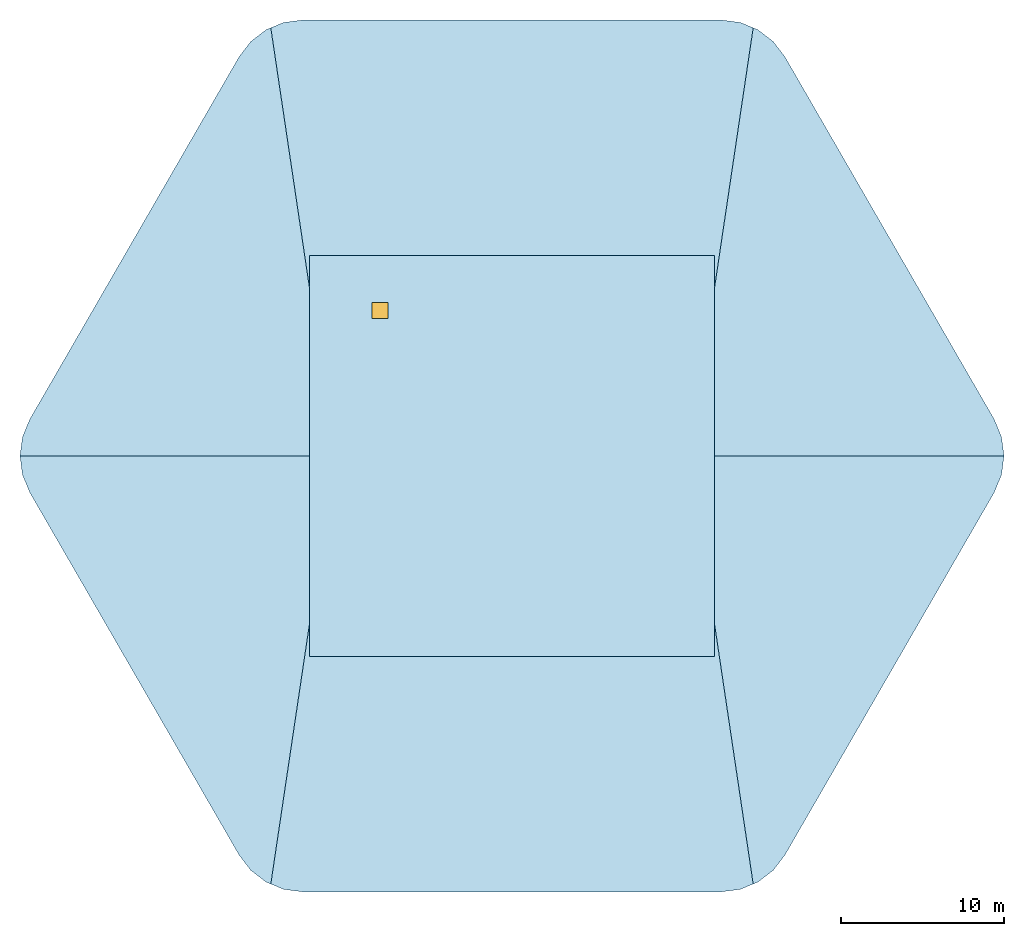
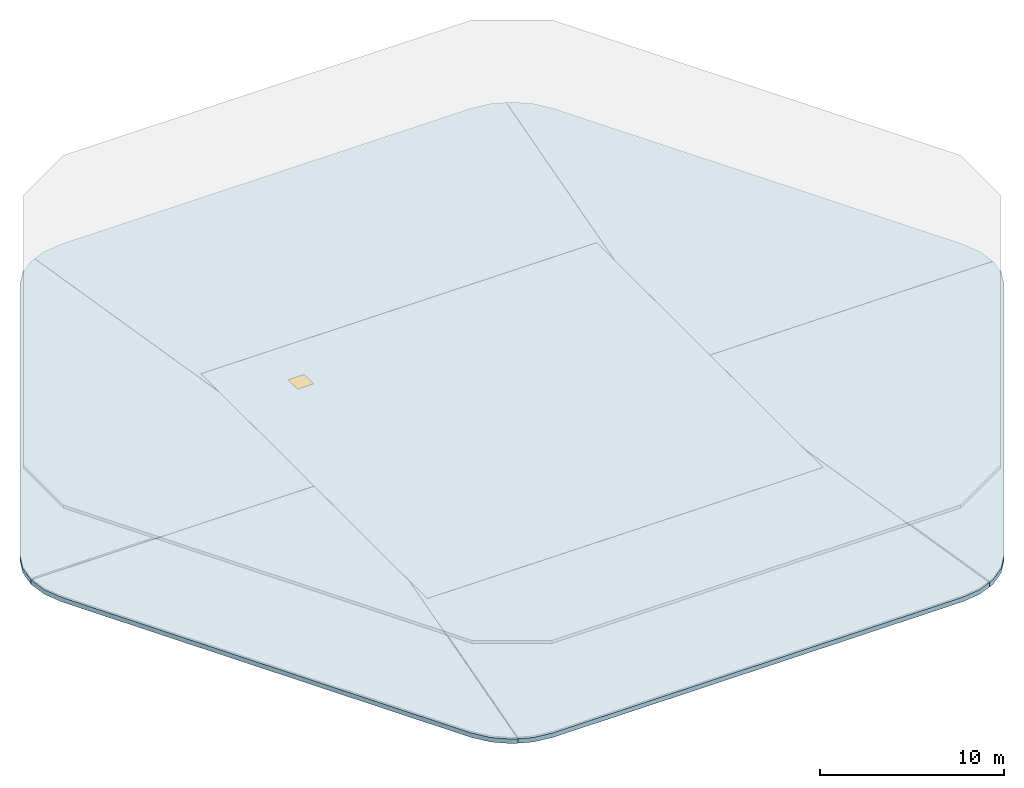
# One storey, part 1 of 2: 7 slabs, 1 window, 1 opening.
"""IFC4 building model written with IfcOpenShell, lengths in metres."""

from ifc_helpers import new_model, si_unit, direction, frame, origin, origin_2d, place, context, subcontext, project, spatial, polyline, rectangle, outline, extrude, material, layer, layer_set, type_object, element, fill, save


model = new_model("IFC4")

# Units and contexts
model_context = context("Model", 3, precision=1e-05, world=origin(), true_north=direction((0.0, 1.0)))
body_context = subcontext(model_context, "Body", "Model", "MODEL_VIEW")
ifc_project = project(units=[si_unit("LENGTHUNIT", "METRE"), si_unit("AREAUNIT", "SQUARE_METRE"), si_unit("VOLUMEUNIT", "CUBIC_METRE"), si_unit("PLANEANGLEUNIT", "RADIAN"), si_unit("MASSUNIT", "GRAM", prefix="KILO")], contexts=[model_context])

# Site, building, storey
site_placement = place(None, origin())
site = spatial("IfcSite", under=ifc_project, at=site_placement, CompositionType="ELEMENT")
building_placement = place(site_placement, origin())
building = spatial("IfcBuilding", under=site, at=building_placement, Name="Tarfa Lantern Tower", CompositionType="ELEMENT")
storey_placement = place(building_placement, frame((0.0, 0.0, 408.300048828125)))
storey = spatial("IfcBuildingStorey", under=building, at=storey_placement, Name="ROOF", CompositionType="ELEMENT", Elevation=408.300048828125)

# Slab, opening, window
ifc_material_1 = material(Name="Concrete C40/50", Category="concrete")
ifc_layer = layer(ifc_material_1, 0.300048828125)
ifc_layer_set = layer_set([ifc_layer], Name="RS1 ROOF SLAB 300")
slab_type = type_object("IfcSlabType", Name="RS1 ROOF SLAB 300", PredefinedType="ROOF", material=ifc_layer_set)
slab_1_placement = place(storey_placement, frame((0.0, 0.0, -0.300048828125)))
slab_1 = element("IfcSlab", 1, at=slab_1_placement, inside=storey, type_object=slab_type, Name="Roof slab", PredefinedType="ROOF", context=body_context, shape_type="SweptSolid", body=[
    extrude(outline(polyline([(-12.425048828125, -12.300048828125), (12.425048828125, -12.300048828125), (12.425048828125, 12.300048828125), (-12.425048828125, 12.300048828125), (-12.425048828125, -12.300048828125)])), origin(), (0.0, 0.0, 1.0), 0.300048828125),
])
opening_placement = place(slab_1_placement, frame((-8.10009765625, 8.925048828125, 0.0)))
opening = element("IfcOpeningElement", 2, at=opening_placement, cuts=slab_1, Name="Opening RH1", PredefinedType="OPENING", context=body_context, shape_type="SweptSolid", body=[
    extrude(rectangle(XDim=1.0, YDim=1.0, at=origin_2d()), origin(), (0.0, 0.0, 1.0), 0.300048828125),
])
ifc_material_2 = material(Name="Aluminium roof hatch", Category="aluminium")
window_type = type_object("IfcWindowType", Name="RH1 ROOF ACCESS HATCH 1000x1000", PartitioningType="SINGLE_PANEL", PredefinedType="SKYLIGHT", material=ifc_material_2)
window_placement = place(opening_placement, frame((0.0, 0.0, 0.25)))
window = element("IfcWindow", 3, at=window_placement, inside=storey, type_object=window_type, Name="Roof access hatch", OverallHeight=1.0, OverallWidth=1.0, PartitioningType="SINGLE_PANEL", PredefinedType="SKYLIGHT", context=body_context, shape_type="SweptSolid", body=[
    extrude(rectangle(XDim=1.0, YDim=1.0, at=origin_2d()), origin(), (0.0, 0.0, 1.0), 0.050048828125),
])
fill(opening, window)

# Slabs
slab_2_placement = place(storey_placement, frame((0.0, 0.0, -0.300048828125)))
element("IfcSlab", 4, at=slab_2_placement, inside=storey, type_object=slab_type, Name="Roof slab NE bay", PredefinedType="ROOF", context=body_context, shape_type="SweptSolid", body=[
    extrude(outline(polyline([(29.58740234375, 2.2490234375), (16.741455078125, 24.498779296875), (16.026611328125, 25.4306640625), (15.094970703125, 26.145263671875), (14.802001953125, 26.2666015625), (12.427001953125, 10.2998046875), (12.427001953125, 0.001953125), (30.189697265625, 0.001953125), (30.036865234375, 1.1640625), (29.58740234375, 2.2490234375)])), origin(), (0.0, 0.0, 1.0), 0.300048828125),
])
slab_3_placement = place(storey_placement, frame((0.0, 0.0, -0.300048828125)))
element("IfcSlab", 5, at=slab_3_placement, inside=storey, type_object=slab_type, Name="Roof slab N bay", PredefinedType="ROOF", context=body_context, shape_type="SweptSolid", body=[
    extrude(outline(polyline([(-12.427001953125, 10.3271484375), (-12.427001953125, 12.302001953125), (12.427001953125, 12.302001953125), (12.427001953125, 10.3271484375), (14.79833984375, 26.268310546875), (14.01025390625, 26.5947265625), (12.845947265625, 26.748046875), (-12.845947265625, 26.748046875), (-14.01025390625, 26.5947265625), (-14.79833984375, 26.268310546875), (-12.427001953125, 10.3271484375)])), origin(), (0.0, 0.0, 1.0), 0.300048828125),
])
slab_4_placement = place(storey_placement, frame((0.0, 0.0, -0.300048828125)))
element("IfcSlab", 6, at=slab_4_placement, inside=storey, type_object=slab_type, Name="Roof slab NW bay", PredefinedType="ROOF", context=body_context, shape_type="SweptSolid", body=[
    extrude(outline(polyline([(-12.427001953125, 0.001953125), (-12.427001953125, 10.2998046875), (-14.802001953125, 26.2666015625), (-15.094970703125, 26.145263671875), (-16.026611328125, 25.4306640625), (-16.741455078125, 24.498779296875), (-29.58740234375, 2.2490234375), (-30.036865234375, 1.1640625), (-30.189697265625, 0.001953125), (-12.427001953125, 0.001953125)])), origin(), (0.0, 0.0, 1.0), 0.300048828125),
])
slab_5_placement = place(storey_placement, frame((0.0, 0.0, -0.300048828125)))
element("IfcSlab", 7, at=slab_5_placement, inside=storey, type_object=slab_type, Name="Roof slab SW bay", PredefinedType="ROOF", context=body_context, shape_type="SweptSolid", body=[
    extrude(outline(polyline([(-12.427001953125, -10.2998046875), (-12.427001953125, -0.001953125), (-30.189697265625, -0.001953125), (-30.036865234375, -1.1640625), (-29.58740234375, -2.2490234375), (-16.741455078125, -24.498779296875), (-16.026611328125, -25.4306640625), (-15.094970703125, -26.145263671875), (-14.802001953125, -26.2666015625), (-12.427001953125, -10.2998046875)])), origin(), (0.0, 0.0, 1.0), 0.300048828125),
])
slab_6_placement = place(storey_placement, frame((0.0, 0.0, -0.300048828125)))
element("IfcSlab", 8, at=slab_6_placement, inside=storey, type_object=slab_type, Name="Roof slab S bay", PredefinedType="ROOF", context=body_context, shape_type="SweptSolid", body=[
    extrude(outline(polyline([(12.427001953125, -10.3271484375), (12.427001953125, -12.302001953125), (-12.427001953125, -12.302001953125), (-12.427001953125, -10.3271484375), (-14.79833984375, -26.268310546875), (-14.01025390625, -26.5947265625), (-12.845947265625, -26.748046875), (12.845947265625, -26.748046875), (14.01025390625, -26.5947265625), (14.79833984375, -26.268310546875), (12.427001953125, -10.3271484375)])), origin(), (0.0, 0.0, 1.0), 0.300048828125),
])
slab_7_placement = place(storey_placement, frame((0.0, 0.0, -0.300048828125)))
element("IfcSlab", 9, at=slab_7_placement, inside=storey, type_object=slab_type, Name="Roof slab SE bay", PredefinedType="ROOF", context=body_context, shape_type="SweptSolid", body=[
    extrude(outline(polyline([(12.427001953125, -0.001953125), (12.427001953125, -10.2998046875), (14.802001953125, -26.2666015625), (15.094970703125, -26.145263671875), (16.026611328125, -25.4306640625), (16.741455078125, -24.498779296875), (29.58740234375, -2.2490234375), (30.036865234375, -1.1640625), (30.189697265625, -0.001953125), (12.427001953125, -0.001953125)])), origin(), (0.0, 0.0, 1.0), 0.300048828125),
])

save(model, "model.ifc")
